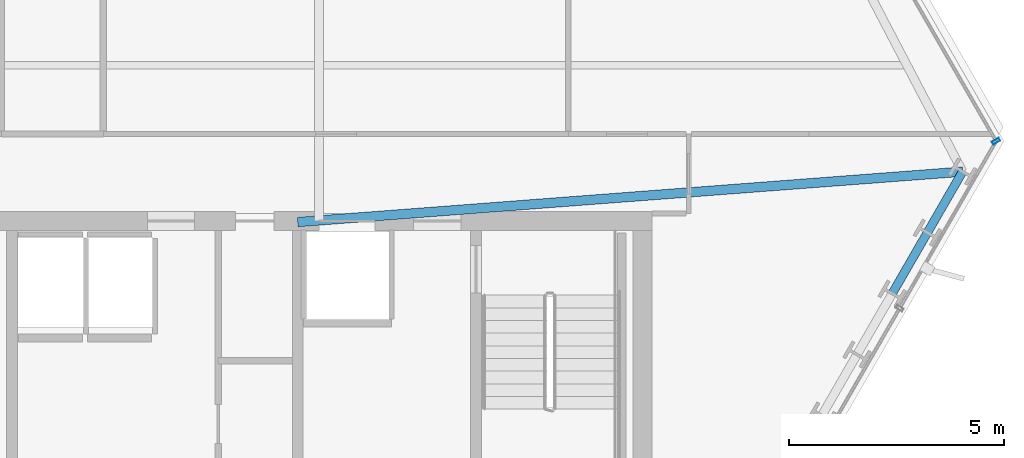
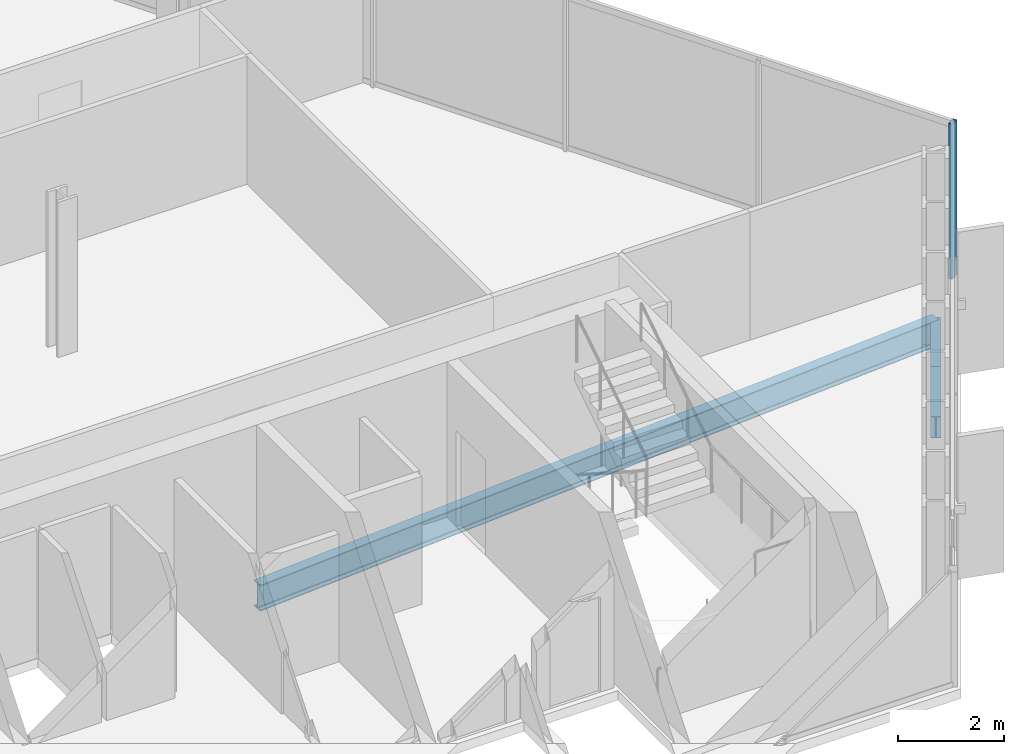
# One storey, part 16 of 31: 3 beams, 1 member, 1 element without a shape of its own.
"""IFC4 building model written with IfcOpenShell, lengths in metres."""

from ifc_helpers import new_model, si_unit, direction, frame, origin, origin_2d, place, context, subcontext, project, spatial, hollow_rectangle, i_section, extrude, material, layer, layer_set, material_profile, profile_set, type_object, element, aggregate, save


model = new_model("IFC4")

# Units and contexts
model_context = context("Model", 3, precision=1e-05, world=origin(), true_north=direction((0.0, 1.0)))
body_context = subcontext(model_context, "Body", "Model", "MODEL_VIEW")
ifc_project = project(units=[si_unit("LENGTHUNIT", "METRE"), si_unit("AREAUNIT", "SQUARE_METRE"), si_unit("VOLUMEUNIT", "CUBIC_METRE"), si_unit("PLANEANGLEUNIT", "RADIAN"), si_unit("MASSUNIT", "GRAM", prefix="KILO")], contexts=[model_context])

# Site, building, storey
site_placement = place(None, origin())
site = spatial("IfcSite", under=ifc_project, at=site_placement, CompositionType="ELEMENT")
building_placement = place(site_placement, origin())
building = spatial("IfcBuilding", under=site, at=building_placement, Name="Ndaravel Arena Tower", CompositionType="ELEMENT")
storey_placement = place(building_placement, frame((0.0, 0.0, 100.60009765625)))
storey = spatial("IfcBuildingStorey", under=building, at=storey_placement, Name="L23", CompositionType="ELEMENT", Elevation=100.60009765625)

# Beams
ifc_material_1 = material(Name="Steel S355", Category="steel")
ifc_material_profile_1 = material_profile(ifc_material_1, i_section(OverallWidth=0.219970703125, OverallDepth=0.60009765625, WebThickness=0.011962890625, FlangeThickness=0.01904296875, FilletRadius=0.02392578125, at=origin_2d()), Name="IPE 600")
ifc_profile_set_1 = profile_set([ifc_material_profile_1], Name="Steel S355")
beam_type_1 = type_object("IfcBeamType", Name="BM-GIRD-IPE600", PredefinedType="BEAM", material=ifc_profile_set_1)
beam_placement = place(storey_placement, frame((64.778076171875, 16.123291015625, -0.52001953125), z_axis=(-0.997138989027, -0.075589923677, 0.0), x_axis=(0.075589923677, -0.997138989027, 0.0)))
element("IfcBeam", 1, at=beam_placement, inside=storey, type_object=beam_type_1, Name="L23 Radial Floor Girder FG-09", PredefinedType="BEAM", context=body_context, shape_type="SweptSolid", body=[
    extrude(i_section(OverallWidth=0.219970703125, OverallDepth=0.60009765625, WebThickness=0.011962890625, FlangeThickness=0.01904296875, FilletRadius=0.02392578125, at=origin_2d()), origin(), (0.0, 0.0, 1.0), 15.5224609375),
])
ifc_material_2 = material(Name="Steel S355", Category="steel")
ifc_material_profile_2 = material_profile(ifc_material_2, i_section(OverallWidth=0.199951171875, OverallDepth=0.5, WebThickness=0.01025390625, FlangeThickness=0.01611328125, FilletRadius=0.02099609375, at=origin_2d()), Name="IPE 500")
ifc_profile_set_2 = profile_set([ifc_material_profile_2], Name="Steel S355")
beam_type_2 = type_object("IfcBeamType", Name="BM-SPAN-IPE500", PredefinedType="SPANDREL", material=ifc_profile_set_2)
for number, where, z_axis, x_axis, name in (
    (2, (63.139404296875, 13.284912109375, -0.47021484375), (0.499984679161, 0.866034249094, 0.0), (-0.866034249094, 0.499984679161, 0.0), "L23 Perimeter Spandrel Beam SP-07"),
    (3, (63.958740234375, 14.7041015625, -0.47021484375), (0.499984679161, 0.866034249094, 0.0), (-0.866034249094, 0.499984679161, 0.0), "L23 Perimeter Spandrel Beam SP-08"),
):
    element("IfcBeam", number, at=place(storey_placement, frame(where, z_axis=z_axis, x_axis=x_axis)), inside=storey, type_object=beam_type_2, Name=name, PredefinedType="SPANDREL", context=body_context, shape_type="SweptSolid", body=[
        extrude(i_section(OverallWidth=0.199951171875, OverallDepth=0.5, WebThickness=0.01025390625, FlangeThickness=0.01611328125, FilletRadius=0.02099609375, at=origin_2d()), origin(), (0.0, 0.0, 1.0), 1.638671875),
    ])

# Curtain wall, member
ifc_material_3 = material(Name="Aluminium", Category="aluminium")
ifc_layer = layer(ifc_material_3, 0.179931640625)
ifc_layer_set = layer_set([ifc_layer], Name="Aluminium")
curtain_wall_type = type_object("IfcCurtainWallType", Name="CW-SYS-03", PredefinedType="NOTDEFINED", material=ifc_layer_set)
curtain_wall_placement = place(storey_placement, origin())
curtain_wall = element("IfcCurtainWall", 4, at=curtain_wall_placement, inside=storey, type_object=curtain_wall_type, Name="L23 Faceted Crystal Curtain Wall CW-L23-E03", PredefinedType="NOTDEFINED")
ifc_material_4 = material(Name="Aluminium", Category="aluminium")
ifc_material_profile_3 = material_profile(ifc_material_4, hollow_rectangle(XDim=0.074951171875, YDim=0.179931640625, WallThickness=0.00390625, at=origin_2d()), Name="CW MULLION 75x180x4")
ifc_profile_set_3 = profile_set([ifc_material_profile_3], Name="Aluminium")
member_type = type_object("IfcMemberType", Name="MEM-CW-MUL180", PredefinedType="MULLION", material=ifc_profile_set_3)
member_placement = place(storey_placement, frame((65.557373046875, 16.832763671875, 0.0), z_axis=(0.0, 0.0, 1.0), x_axis=(-0.5, 0.866025403784, 0.0)))
member = element("IfcMember", 5, at=member_placement, type_object=member_type, Name="CW-L23-E03 Mullion 00", PredefinedType="MULLION", context=body_context, shape_type="SweptSolid", body=[
    extrude(hollow_rectangle(XDim=0.074951171875, YDim=0.179931640625, WallThickness=0.00390625, at=origin_2d()), origin(), (0.0, 0.0, 1.0), 3.579833984375),
])
aggregate(curtain_wall, [member])

save(model, "model.ifc")
